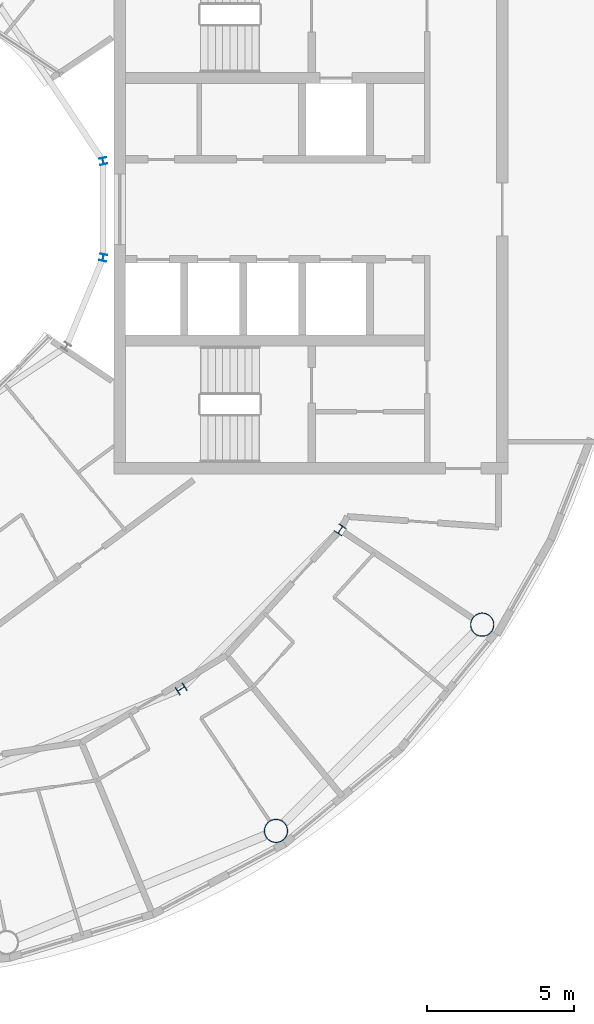
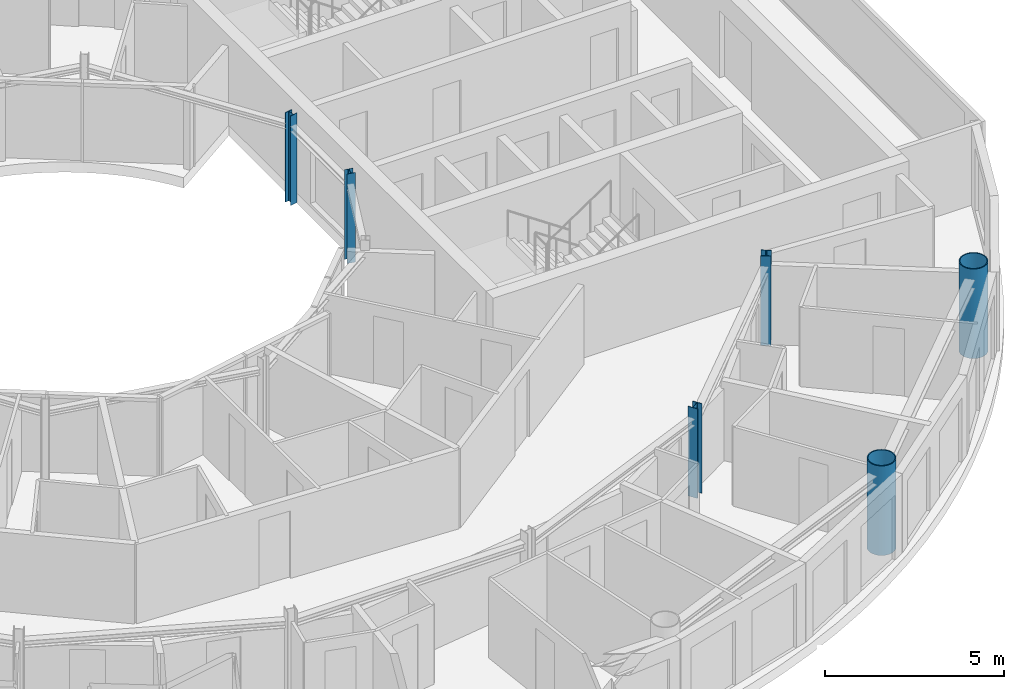
# One storey, part 3 of 22: 6 columns.
"""IFC4 building model written with IfcOpenShell, lengths in metres."""

import ifcopenshell
import ifcopenshell.guid

model = None  # the IFC model being written
_history = None  # IfcOwnerHistory: only IFC2X3 demands one
_inside = {}  # id of a spatial element -> (the spatial element, [elements in it])
_under = {}  # id of a project, library or spatial element -> (it, [spatial elements below it])
_declared = {}  # id of a project -> (the project, [libraries it declares])
_typed = {}  # id of a type object -> (the type object, [elements of that type])
_made_of = {}  # id of a material, layer set ... -> (it, [elements and type objects made of it])


def new_model(schema):
    """Start an empty IFC model of exactly this schema.

    Asked for "IFC4X3", IfcOpenShell would pick the latest addendum, in which some entities
    have other attributes; the version numbers below select the first issue.
    IFC2X3 requires an IfcOwnerHistory on every rooted entity: one is made here for all.
    """
    global model, _history
    if schema == "IFC4X3":
        model = ifcopenshell.file(schema_version=(4, 3, 0, 0))
    else:
        model = ifcopenshell.file(schema=schema)
    _inside.clear()
    _under.clear()
    _declared.clear()
    _typed.clear()
    _made_of.clear()
    _history = None
    if model.schema == "IFC2X3":
        org = make("IfcOrganization", Name="unknown")
        user = make(
            "IfcPersonAndOrganization",
            ThePerson=make("IfcPerson", FamilyName="unknown"),
            TheOrganization=org,
        )
        app = make(
            "IfcApplication",
            ApplicationDeveloper=org,
            Version="unknown",
            ApplicationFullName="unknown",
            ApplicationIdentifier="unknown",
        )
        _history = make(
            "IfcOwnerHistory",
            OwningUser=user,
            OwningApplication=app,
            ChangeAction="ADDED",
            CreationDate=0,
        )
    return model


def make(cls, **values):
    """One entity of the class cls with the attributes given. An attribute that is None is left unset."""
    return model.create_entity(
        cls, **{name: value for name, value in values.items() if value is not None}
    )


def rooted(cls, **values):
    """An entity with a GlobalId (a new one), such as an element, a storey or a relation."""
    return make(cls, GlobalId=ifcopenshell.guid.new(), OwnerHistory=_history, **values)


def si_unit(unit_type, name, prefix=None):
    """IfcSIUnit, for example si_unit("LENGTHUNIT", "METRE", prefix="MILLI")."""
    return make("IfcSIUnit", UnitType=unit_type, Prefix=prefix, Name=name)


def assignment(units):
    """IfcUnitAssignment: the units of a project."""
    return None if units is None else make("IfcUnitAssignment", Units=units)


def point(xyz):
    """IfcCartesianPoint."""
    return None if xyz is None else make("IfcCartesianPoint", Coordinates=xyz)


def direction(xyz):
    """IfcDirection."""
    return None if xyz is None else make("IfcDirection", DirectionRatios=xyz)


def frame(location, z_axis=None, x_axis=None):
    """IfcAxis2Placement3D, a coordinate frame: its origin and axes. An axis left out is left unset."""
    return make(
        "IfcAxis2Placement3D",
        Location=point(location),
        Axis=direction(z_axis),
        RefDirection=direction(x_axis),
    )


def frame_2d(location, x_axis=None):
    """IfcAxis2Placement2D, a coordinate frame in the plane: its origin and x axis."""
    return make(
        "IfcAxis2Placement2D", Location=point(location), RefDirection=direction(x_axis)
    )


def origin():
    """The frame at (0, 0, 0) with its axes left unset."""
    return frame((0.0, 0.0, 0.0))


def origin_2d():
    """The frame at (0, 0) in the plane with its x axis left unset."""
    return frame_2d((0.0, 0.0))


def place(relative_to, where):
    """IfcLocalPlacement: puts the frame where relative to a parent placement (None: the world)."""
    return make(
        "IfcLocalPlacement", PlacementRelTo=relative_to, RelativePlacement=where
    )


def context(
    kind, dimensions, precision=None, world=None, true_north=None, identifier=None
):
    """IfcGeometricRepresentationContext, for example the 3D "Model" context."""
    return make(
        "IfcGeometricRepresentationContext",
        ContextIdentifier=identifier,
        ContextType=kind,
        CoordinateSpaceDimension=dimensions,
        Precision=precision,
        WorldCoordinateSystem=world,
        TrueNorth=true_north,
    )


def subcontext(parent, identifier, kind, view, scale=None):
    """IfcGeometricRepresentationSubContext, for example "Body" below "Model"."""
    return make(
        "IfcGeometricRepresentationSubContext",
        ContextIdentifier=identifier,
        ContextType=kind,
        ParentContext=parent,
        TargetScale=scale,
        TargetView=view,
    )


def project(units=None, contexts=None):
    """IfcProject with its units and contexts."""
    return rooted(
        "IfcProject",
        Name="project",
        RepresentationContexts=contexts,
        UnitsInContext=assignment(units),
    )


def spatial(cls, under=None, at=None, **own):
    """A site, building, storey or space (cls), placed at a placement, below another one or the project."""
    s = rooted(cls, ObjectPlacement=at, **own)
    if under is not None:
        _under.setdefault(under.id(), (under, []))[1].append(s)
    return s


def profile(cls, at=None, kind="AREA", **sizes):
    """A parametric profile (cls). Its sizes go by their IFC names, for example OverallWidth=200.0."""
    return make(cls, ProfileType=kind, Position=at, **sizes)


def hollow_circle(**sizes):
    """IfcCircleHollowProfileDef."""
    return profile("IfcCircleHollowProfileDef", **sizes)


def i_section(**sizes):
    """IfcIShapeProfileDef."""
    return profile("IfcIShapeProfileDef", **sizes)


def extrude(swept, where, along, depth):
    """IfcExtrudedAreaSolid: the profile swept, set in the frame where, extruded along a direction by depth."""
    return make(
        "IfcExtrudedAreaSolid",
        SweptArea=swept,
        Position=where,
        ExtrudedDirection=direction(along),
        Depth=depth,
    )


def shape(context_of_items, identifier, shape_type, items):
    """IfcShapeRepresentation: the items that make up one representation, for example the "Body"."""
    return make(
        "IfcShapeRepresentation",
        ContextOfItems=context_of_items,
        RepresentationIdentifier=identifier,
        RepresentationType=shape_type,
        Items=items,
    )


def material(Name=None, Category=None):
    """IfcMaterial."""
    return make("IfcMaterial", Name=Name, Category=Category)


def material_profile(
    of_material, cross_section, Name=None, Category=None, Priority=None
):
    """IfcMaterialProfile: a cross section and its material."""
    return make(
        "IfcMaterialProfile",
        Name=Name,
        Material=of_material,
        Profile=cross_section,
        Priority=Priority,
        Category=Category,
    )


def profile_set(profiles, Name=None, composite=None):
    """IfcMaterialProfileSet."""
    return make(
        "IfcMaterialProfileSet",
        Name=Name,
        MaterialProfiles=profiles,
        CompositeProfile=composite,
    )


def made_of(thing, what):
    """Note that an element or type object is made of a material, layer set ...; save() writes the relation."""
    if what is not None:
        _made_of.setdefault(what.id(), (what, []))[1].append(thing)
    return thing


def type_object(cls, material=None, **own):
    """A type object (cls), such as IfcWallType, which elements share."""
    return made_of(rooted(cls, **own), material)


def element(
    cls,
    number,
    at=None,
    inside=None,
    cuts=None,
    type_object=None,
    material=None,
    context=None,
    identifier="Body",
    shape_type=None,
    held_by="IfcProductDefinitionShape",
    body=None,
    shapes=None,
    **own,
):
    """One element of the class cls, such as IfcWall. Its Tag is "e" and its number.

    at: its placement. inside: the storey or other place that contains it. cuts: it is an
    opening in that element (IfcRelVoidsElement). A single representation is given by context,
    identifier, shape_type and body (its items); several are given by shapes. held_by: the class
    of the entity that holds the representations. save() writes the other relations.
    """
    e = rooted(cls, Tag="e%d" % number, ObjectPlacement=at, **own)
    if body is not None:
        shapes = [shape(context, identifier, shape_type, body)]
    if shapes is not None:
        e.Representation = make(held_by, Representations=shapes)
    if inside is not None:
        _inside.setdefault(inside.id(), (inside, []))[1].append(e)
    if cuts is not None:
        rooted(
            "IfcRelVoidsElement", RelatingBuildingElement=cuts, RelatedOpeningElement=e
        )
    if type_object is not None:
        _typed.setdefault(type_object.id(), (type_object, []))[1].append(e)
    return made_of(e, material)


def aggregate(whole, parts):
    """IfcRelAggregates: a whole, such as a stair, and the parts it consists of."""
    return rooted("IfcRelAggregates", RelatingObject=whole, RelatedObjects=parts)


def save(model, path):
    """Write the relations noted so far, then the file.

    IfcRelAggregates (storeys below a building ...), IfcRelContainedInSpatialStructure (elements
    in a storey), IfcRelDefinesByType, IfcRelAssociatesMaterial and IfcRelDeclares: one each for
    every whole, place, type object, material and project.
    """
    for whole, parts in _under.values():
        aggregate(whole, parts)
    for where, things in _inside.values():
        rooted(
            "IfcRelContainedInSpatialStructure",
            RelatedElements=things,
            RelatingStructure=where,
        )
    for kind, things in _typed.values():
        rooted("IfcRelDefinesByType", RelatedObjects=things, RelatingType=kind)
    for what, things in _made_of.values():
        rooted("IfcRelAssociatesMaterial", RelatedObjects=things, RelatingMaterial=what)
    for by, libraries in _declared.values():
        rooted("IfcRelDeclares", RelatingContext=by, RelatedDefinitions=libraries)
    model.write(path)


model = new_model("IFC4")

# Units and contexts
model_context = context("Model", 3, precision=1e-05, world=origin(), true_north=direction((0.0, 1.0)))
body_context = subcontext(model_context, "Body", "Model", "MODEL_VIEW")
ifc_project = project(units=[si_unit("LENGTHUNIT", "METRE"), si_unit("AREAUNIT", "SQUARE_METRE"), si_unit("VOLUMEUNIT", "CUBIC_METRE"), si_unit("PLANEANGLEUNIT", "RADIAN"), si_unit("MASSUNIT", "GRAM", prefix="KILO")], contexts=[model_context])

# Site, building, storey
site_placement = place(None, origin())
site = spatial("IfcSite", under=ifc_project, at=site_placement, CompositionType="ELEMENT")
building_placement = place(site_placement, origin())
building = spatial("IfcBuilding", under=site, at=building_placement, Name="Maasbend Ring Residences", CompositionType="ELEMENT")
storey_placement = place(building_placement, frame((0.0, 0.0, 237.10009765625)))
storey = spatial("IfcBuildingStorey", under=building, at=storey_placement, Name="L68", CompositionType="ELEMENT", Elevation=237.10009765625)

# Columns
ifc_material_1 = material(Name="Composite concrete-filled steel tube S460NH / C80/95", Category="concrete")
ifc_material_profile_1 = material_profile(ifc_material_1, hollow_circle(Radius=0.406494140625, WallThickness=0.030029296875, at=origin_2d()), Name="Composite tube column CHS 813x30")
ifc_profile_set_1 = profile_set([ifc_material_profile_1], Name="Composite concrete-filled steel tube S460NH / C80/95")
column_type_1 = type_object("IfcColumnType", Name="Composite tube column CHS 813x30", PredefinedType="COLUMN", material=ifc_profile_set_1)
for number, where, z_axis, x_axis, name in (
    (1, (14.111572265625, -21.119384765625, 0.0), (0.0, 0.0, 1.0), (1.0, 0.0, 0.0), "Outer column R14"),
    (2, (21.119384765625, -14.111572265625, 0.0), (0.0, 0.0, 1.0), (1.0, 0.0, 0.0), "Outer column R15"),
):
    element("IfcColumn", number, at=place(storey_placement, frame(where, z_axis=z_axis, x_axis=x_axis)), inside=storey, type_object=column_type_1, Name=name, PredefinedType="COLUMN", context=body_context, shape_type="SweptSolid", body=[
        extrude(hollow_circle(Radius=0.406494140625, WallThickness=0.030029296875, at=origin_2d()), origin(), (0.0, 0.0, 1.0), 3.0498046875),
    ])
ifc_material_2 = material(Name="Steel S355J2", Category="steel")
ifc_material_profile_2 = material_profile(ifc_material_2, i_section(OverallWidth=0.239990234375, OverallDepth=0.22998046875, WebThickness=0.007568359375, FlangeThickness=0.011962890625, FilletRadius=0.02099609375, at=origin_2d()), Name="HEA 240")
ifc_profile_set_2 = profile_set([ifc_material_profile_2], Name="Steel S355J2")
column_type_2 = type_object("IfcColumnType", Name="Steel column HEA 240", PredefinedType="COLUMN", material=ifc_profile_set_2)
for number, where, z_axis, x_axis, name in (
    (3, (8.238525390625, 1.638916015625, 0.0), (0.0, 0.0, 1.0), (0.980785280403, 0.195090322016, 0.0), "Well ring column R1"),
    (4, (8.238525390625, -1.638916015625, 0.0), (0.0, 0.0, 1.0), (0.980785280403, -0.195090322016, 0.0), "Well ring column R16"),
):
    element("IfcColumn", number, at=place(storey_placement, frame(where, z_axis=z_axis, x_axis=x_axis)), inside=storey, type_object=column_type_2, Name=name, PredefinedType="COLUMN", context=body_context, shape_type="SweptSolid", body=[
        extrude(i_section(OverallWidth=0.239990234375, OverallDepth=0.22998046875, WebThickness=0.007568359375, FlangeThickness=0.011962890625, FilletRadius=0.02099609375, at=origin_2d()), origin(), (0.0, 0.0, 1.0), 3.0498046875),
    ])
ifc_material_3 = material(Name="Steel S355J2", Category="steel")
ifc_material_profile_3 = material_profile(ifc_material_3, i_section(OverallWidth=0.300048828125, OverallDepth=0.300048828125, WebThickness=0.010986328125, FlangeThickness=0.01904296875, FilletRadius=0.027099609375, at=origin_2d()), Name="HEB 300")
ifc_profile_set_3 = profile_set([ifc_material_profile_3], Name="Steel S355J2")
column_type_3 = type_object("IfcColumnType", Name="Steel column HEB 300", PredefinedType="COLUMN", material=ifc_profile_set_3)
for number, where, z_axis, x_axis, name in (
    (5, (10.88916015625, -16.296875, 0.0), (0.0, 0.0, 1.0), (0.55557023302, -0.831469612303, 0.0), "Corridor ring column R14"),
    (6, (16.296875, -10.88916015625, 0.0), (0.0, 0.0, 1.0), (0.831469612303, -0.55557023302, 0.0), "Corridor ring column R15"),
):
    element("IfcColumn", number, at=place(storey_placement, frame(where, z_axis=z_axis, x_axis=x_axis)), inside=storey, type_object=column_type_3, Name=name, PredefinedType="COLUMN", context=body_context, shape_type="SweptSolid", body=[
        extrude(i_section(OverallWidth=0.300048828125, OverallDepth=0.300048828125, WebThickness=0.010986328125, FlangeThickness=0.01904296875, FilletRadius=0.027099609375, at=origin_2d()), origin(), (0.0, 0.0, 1.0), 3.0498046875),
    ])

save(model, "model.ifc")
